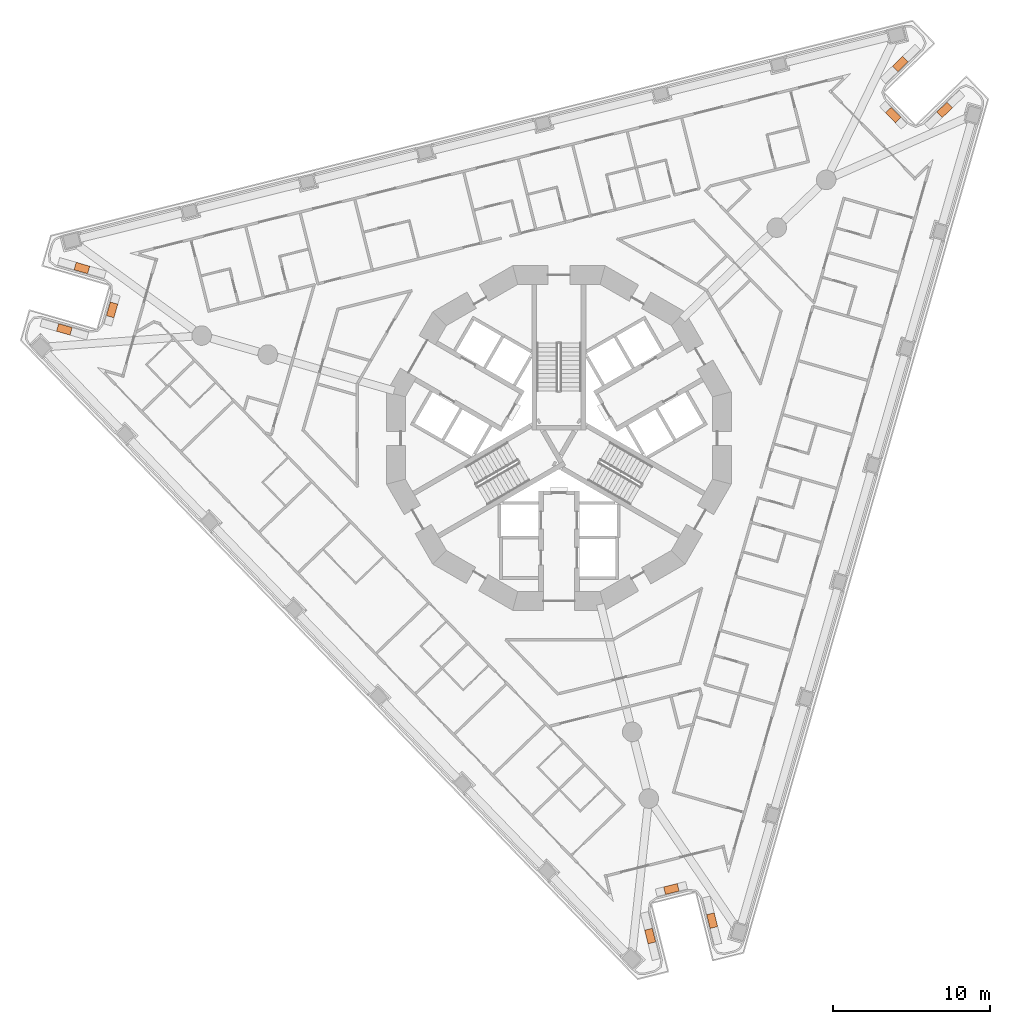
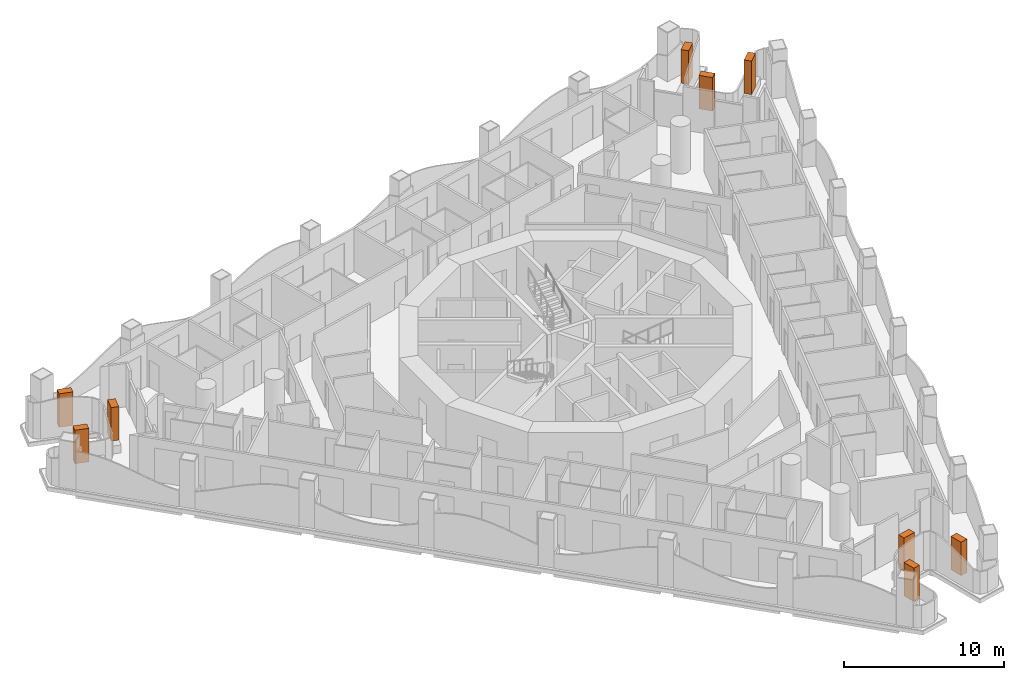
# One storey, part 19 of 19: 9 geographic elements.
"""IFC4 building model written with IfcOpenShell, lengths in metres."""

from ifc_helpers import new_model, si_unit, direction, frame, origin, origin_2d, place, context, subcontext, project, spatial, rectangle, extrude, element, save


model = new_model("IFC4")

# Units and contexts
model_context = context("Model", 3, precision=1e-05, world=origin(), true_north=direction((0.0, 1.0)))
body_context = subcontext(model_context, "Body", "Model", "MODEL_VIEW")
ifc_project = project(units=[si_unit("LENGTHUNIT", "METRE"), si_unit("AREAUNIT", "SQUARE_METRE"), si_unit("VOLUMEUNIT", "CUBIC_METRE"), si_unit("PLANEANGLEUNIT", "RADIAN"), si_unit("MASSUNIT", "GRAM", prefix="KILO")], contexts=[model_context])

# Site, building, storey
site_placement = place(None, origin())
site = spatial("IfcSite", under=ifc_project, at=site_placement, CompositionType="ELEMENT")
building_placement = place(site_placement, origin())
building = spatial("IfcBuilding", under=site, at=building_placement, Name="Trine Commons Tower", CompositionType="ELEMENT")
storey_placement = place(building_placement, frame((0.0, 0.0, 105.300048828125)))
storey = spatial("IfcBuildingStorey", under=building, at=storey_placement, Name="L26", CompositionType="ELEMENT", Elevation=105.300048828125)

# Geographic elements
for number, where, z_axis, x_axis, name in (
    (1, (48.400634765625, 69.438720703125, 0.60009765625), (0.0, 0.0, 1.0), (0.961260733777, -0.275640711252, 0.0), "Tree 1.1"),
    (2, (51.45263671875, 70.685791015625, 0.60009765625), (0.0, 0.0, 1.0), (0.275645744397, 0.961259290512, 0.0), "Tree 2.1"),
    (3, (49.525146484375, 73.360595703125, 0.60009765625), (0.0, 0.0, 1.0), (-0.961262658088, 0.275634000379, 0.0), "Tree 3.1"),
    (4, (101.808837890625, 86.396484375, 0.60009765625), (0.0, 0.0, 1.0), (-0.719332525854, -0.69466590333, 0.0), "Tree 4.1"),
    (5, (101.36279296875, 83.1298828125, 0.60009765625), (0.0, 0.0, 1.0), (0.694658370459, -0.719339800339, 0.0), "Tree 5.1"),
    (6, (104.64306640625, 83.461669921875, 0.60009765625), (0.0, 0.0, 1.0), (0.719362835687, 0.694634515866, 0.0), "Tree 6.1"),
    (7, (89.79052734375, 31.664794921875, 0.60009765625), (0.0, 0.0, 1.0), (-0.241908347692, 0.970299104048, 0.0), "Tree 7.1"),
    (8, (87.1845703125, 33.684326171875, 0.60009765625), (0.0, 0.0, 1.0), (-0.970297415186, -0.241915121652, 0.0), "Tree 8.1"),
    (9, (85.831787109375, 30.677734375, 0.60009765625), (0.0, 0.0, 1.0), (0.241908347692, -0.970299104048, 0.0), "Tree 9.1"),
):
    element("IfcGeographicElement", number, at=place(storey_placement, frame(where, z_axis=z_axis, x_axis=x_axis)), inside=storey, Name=name, ObjectType="TREE Tabebuia rosea", PredefinedType="USERDEFINED", context=body_context, shape_type="SweptSolid", body=[
        extrude(rectangle(XDim=0.89990234375, YDim=0.5, at=origin_2d()), origin(), (0.0, 0.0, 1.0), 2.550048828125),
    ])

save(model, "model.ifc")
